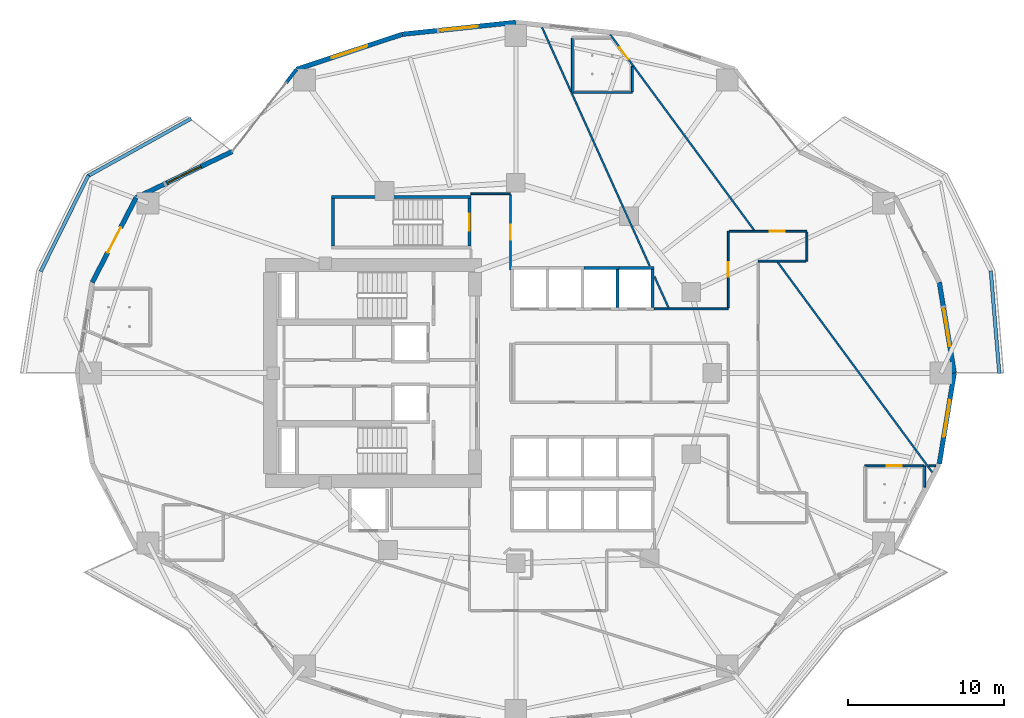
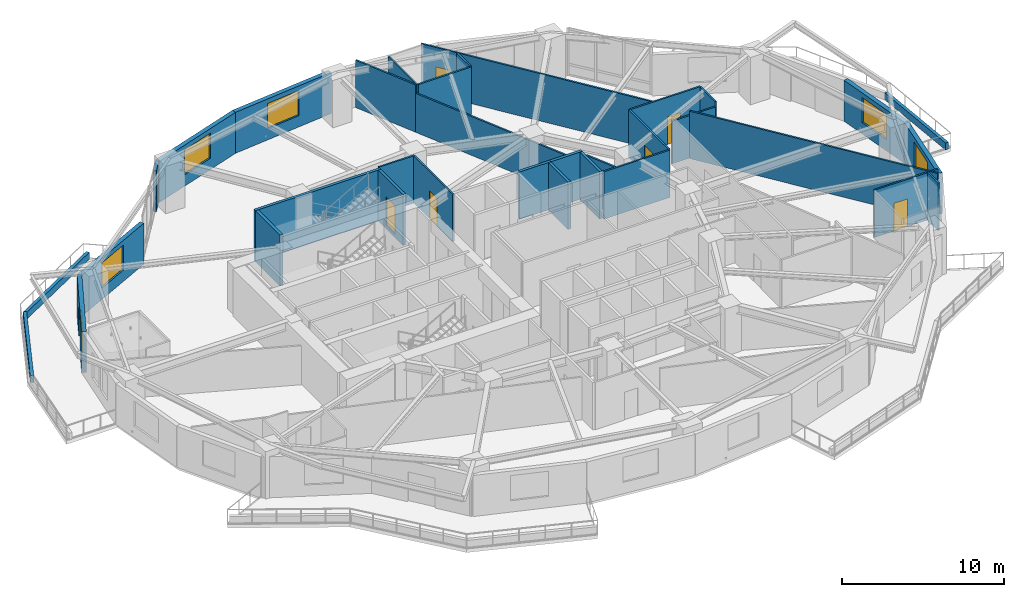
# One storey, part 8 of 18: 35 walls, 7 doors, 5 windows, 12 openings.
"""IFC4 building model written with IfcOpenShell, lengths in metres."""

from ifc_helpers import new_model, si_unit, direction, frame, frame_2d, origin, place, context, subcontext, project, spatial, rectangle, extrude, material, layer, layer_set, type_object, element, fill, save


model = new_model("IFC4")

# Units and contexts
model_context = context("Model", 3, precision=1e-05, world=origin(), true_north=direction((0.0, 1.0)))
body_context = subcontext(model_context, "Body", "Model", "MODEL_VIEW")
ifc_project = project(units=[si_unit("LENGTHUNIT", "METRE"), si_unit("AREAUNIT", "SQUARE_METRE"), si_unit("VOLUMEUNIT", "CUBIC_METRE"), si_unit("PLANEANGLEUNIT", "RADIAN"), si_unit("MASSUNIT", "GRAM", prefix="KILO")], contexts=[model_context])

# Site, building, storey
site_placement = place(None, origin())
site = spatial("IfcSite", under=ifc_project, at=site_placement, CompositionType="ELEMENT")
building_placement = place(site_placement, origin())
building = spatial("IfcBuilding", under=site, at=building_placement, Name="Kolvaren Gate Tower and Convention Centre", CompositionType="ELEMENT")
storey_placement = place(building_placement, frame((0.0, 0.0, 30.35009765625)))
storey = spatial("IfcBuildingStorey", under=building, at=storey_placement, Name="L06", CompositionType="ELEMENT", Elevation=30.35009765625)

# Wall
ifc_material_1 = material(Name="Fire-Rated Acoustic Gypsum Stud Partition", Category="gypsum")
ifc_layer_1 = layer(ifc_material_1, 0.1201171875)
ifc_layer_set_1 = layer_set([ifc_layer_1], Name="Fire-Rated Acoustic Gypsum Stud Partition")
wall_type_1 = type_object("IfcWallType", Name="ARCH-WL-PART-120", PredefinedType="PARTITIONING", material=ifc_layer_set_1)
wall_1_placement = place(storey_placement, frame((27.25, 38.5, 0.0), z_axis=(0.0, 0.0, 1.0), x_axis=(1.0, 0.0, 0.0)))
element("IfcWall", 1, at=wall_1_placement, inside=storey, type_object=wall_type_1, Name="Interior Partition WL-L06-INT-022", PredefinedType="PARTITIONING", context=body_context, shape_type="SweptSolid", body=[
    extrude(rectangle(XDim=2.530029296875, YDim=0.1201171875, at=frame_2d((1.26513671875, 0.0))), origin(), (0.0, 0.0, 1.0), 3.56982421875),
])

# Wall, opening, door
wall_2_placement = place(storey_placement, frame((29.780029296875, 33.639892578125, 0.0), z_axis=(0.0, 0.0, 1.0), x_axis=(0.0, 1.0, 0.0)))
wall_2 = element("IfcWall", 2, at=wall_2_placement, inside=storey, type_object=wall_type_1, Name="Interior Partition WL-L06-INT-025", PredefinedType="PARTITIONING", context=body_context, shape_type="SweptSolid", body=[
    extrude(rectangle(XDim=4.798095703125, YDim=0.1201171875, at=frame_2d((2.39892578125, 0.0))), origin(), (0.0, 0.0, 1.0), 3.56982421875),
])
opening_1_placement = place(wall_2_placement, frame((1.924072265625, 0.0, 0.0)))
opening_1 = element("IfcOpeningElement", 3, at=opening_1_placement, cuts=wall_2, Name="Opening DR-01", PredefinedType="OPENING", context=body_context, shape_type="SweptSolid", body=[
    extrude(rectangle(XDim=0.949951171875, YDim=2.10009765625, at=frame_2d((0.47509765625, 1.050048828125))), frame((0.0, 0.070068359375, 0.0), z_axis=(0.0, -1.0, 0.0), x_axis=(1.0, 0.0, 0.0)), (0.0, 0.0, 1.0), 0.14013671875),
])
ifc_material_2 = material(Name="Painted Architectural Steelwork ASTM A500 Grade C 345 MPa", Category="steel")
door_type_1 = type_object("IfcDoorType", Name="ARCH-DR-RISER-950", OperationType="SINGLE_SWING_RIGHT", PredefinedType="DOOR", material=ifc_material_2)
door_1_placement = place(opening_1_placement, origin())
door_1 = element("IfcDoor", 4, at=door_1_placement, inside=storey, type_object=door_type_1, Name="Open-Plan Office Suite Door", OperationType="SINGLE_SWING_LEFT", OverallHeight=2.10009765625, OverallWidth=0.949951171875, PredefinedType="DOOR", context=body_context, shape_type="SweptSolid", body=[
    extrude(rectangle(XDim=0.949951171875, YDim=2.10009765625, at=frame_2d((0.47509765625, 1.050048828125))), frame((0.0, 0.02490234375, 0.0), z_axis=(0.0, -1.0, 0.0), x_axis=(1.0, 0.0, 0.0)), (0.0, 0.0, 1.0), 0.050048828125),
])
fill(opening_1, door_1)

# Wall
wall_3_placement = place(storey_placement, frame((39.02001953125, 31.1201171875, 0.0), z_axis=(0.0, 0.0, 1.0), x_axis=(1.0, 0.0, 0.0)))
element("IfcWall", 5, at=wall_3_placement, inside=storey, type_object=wall_type_1, Name="Interior Partition WL-L06-INT-026", PredefinedType="PARTITIONING", context=body_context, shape_type="SweptSolid", body=[
    extrude(rectangle(XDim=4.72998046875, YDim=0.1201171875, at=frame_2d((2.364990234375, 0.0))), origin(), (0.0, 0.0, 1.0), 3.56982421875),
])

# Wall, opening, door
wall_4_placement = place(storey_placement, frame((43.75, 31.181884765625, 0.0), z_axis=(0.0, 0.0, 1.0), x_axis=(0.0, 1.0, 0.0)))
wall_4 = element("IfcWall", 6, at=wall_4_placement, inside=storey, type_object=wall_type_1, Name="Interior Partition WL-L06-INT-029", PredefinedType="PARTITIONING", context=body_context, shape_type="SweptSolid", body=[
    extrude(rectangle(XDim=4.918212890625, YDim=0.1201171875, at=frame_2d((2.458984375, 0.0))), origin(), (0.0, 0.0, 1.0), 3.56982421875),
])
opening_2_placement = place(wall_4_placement, frame((1.98388671875, 0.0, 0.0)))
opening_2 = element("IfcOpeningElement", 7, at=opening_2_placement, cuts=wall_4, Name="Opening DR-01", PredefinedType="OPENING", context=body_context, shape_type="SweptSolid", body=[
    extrude(rectangle(XDim=0.949951171875, YDim=2.10009765625, at=frame_2d((0.47509765625, 1.050048828125))), frame((0.0, 0.070068359375, 0.0), z_axis=(0.0, -1.0, 0.0), x_axis=(1.0, 0.0, 0.0)), (0.0, 0.0, 1.0), 0.14013671875),
])
door_2_placement = place(opening_2_placement, origin())
door_2 = element("IfcDoor", 8, at=door_2_placement, inside=storey, type_object=door_type_1, Name="Corporate Open-Plan Office Door", OperationType="SINGLE_SWING_RIGHT", OverallHeight=2.10009765625, OverallWidth=0.949951171875, PredefinedType="DOOR", context=body_context, shape_type="SweptSolid", body=[
    extrude(rectangle(XDim=0.949951171875, YDim=2.10009765625, at=frame_2d((0.47509765625, 1.050048828125))), frame((0.0, 0.02490234375, 0.0), z_axis=(0.0, -1.0, 0.0), x_axis=(1.0, 0.0, 0.0)), (0.0, 0.0, 1.0), 0.050048828125),
])
fill(opening_2, door_2)

wall_5_placement = place(storey_placement, frame((43.81201171875, 36.10009765625, 0.0), z_axis=(0.0, 0.0, 1.0), x_axis=(1.0, 0.0, 0.0)))
wall_5 = element("IfcWall", 9, at=wall_5_placement, inside=storey, type_object=wall_type_1, Name="Interior Partition WL-L06-INT-030", PredefinedType="PARTITIONING", context=body_context, shape_type="SweptSolid", body=[
    extrude(rectangle(XDim=4.988037109375, YDim=0.1201171875, at=frame_2d((2.494140625, 0.0))), origin(), (0.0, 0.0, 1.0), 3.56982421875),
])
opening_3_placement = place(wall_5_placement, frame((2.60888671875, 0.0, 0.0)))
opening_3 = element("IfcOpeningElement", 10, at=opening_3_placement, cuts=wall_5, Name="Opening DR-01", PredefinedType="OPENING", context=body_context, shape_type="SweptSolid", body=[
    extrude(rectangle(XDim=0.949951171875, YDim=2.10009765625, at=frame_2d((0.47509765625, 1.050048828125))), frame((0.0, 0.070068359375, 0.0), z_axis=(0.0, -1.0, 0.0), x_axis=(1.0, 0.0, 0.0)), (0.0, 0.0, 1.0), 0.14013671875),
])
door_3_placement = place(opening_3_placement, origin())
door_3 = element("IfcDoor", 11, at=door_3_placement, inside=storey, type_object=door_type_1, Name="Staff Dining and Bistro Cafe Door", OperationType="SINGLE_SWING_LEFT", OverallHeight=2.10009765625, OverallWidth=0.949951171875, PredefinedType="DOOR", context=body_context, shape_type="SweptSolid", body=[
    extrude(rectangle(XDim=0.949951171875, YDim=2.10009765625, at=frame_2d((0.47509765625, 1.050048828125))), frame((0.0, 0.02490234375, 0.0), z_axis=(0.0, -1.0, 0.0), x_axis=(1.0, 0.0, 0.0)), (0.0, 0.0, 1.0), 0.050048828125),
])
fill(opening_3, door_3)

# Walls
wall_6_placement = place(storey_placement, frame((48.800048828125, 34.179931640625, 0.0), z_axis=(0.0, 0.0, 1.0), x_axis=(0.0, 1.0, 0.0)))
element("IfcWall", 12, at=wall_6_placement, inside=storey, type_object=wall_type_1, Name="Interior Partition WL-L06-INT-032", PredefinedType="PARTITIONING", context=body_context, shape_type="SweptSolid", body=[
    extrude(rectangle(XDim=1.858154296875, YDim=0.1201171875, at=frame_2d((0.92919921875, 0.0))), origin(), (0.0, 0.0, 1.0), 3.56982421875),
])
wall_7_placement = place(storey_placement, frame((45.669921875, 34.179931640625, 0.0), z_axis=(0.0, 0.0, 1.0), x_axis=(1.0, 0.0, 0.0)))
element("IfcWall", 13, at=wall_7_placement, inside=storey, type_object=wall_type_1, Name="Interior Partition WL-L06-INT-033", PredefinedType="PARTITIONING", context=body_context, shape_type="SweptSolid", body=[
    extrude(rectangle(XDim=3.068115234375, YDim=0.1201171875, at=frame_2d((1.5341796875, 0.0))), origin(), (0.0, 0.0, 1.0), 3.204833984375),
])

# Wall, opening, door
wall_8_placement = place(storey_placement, frame((36.18359375, 48.708984375, 0.0), z_axis=(0.0, 0.0, 1.0), x_axis=(0.592622013748, -0.805480694257, 0.0)))
wall_8 = element("IfcWall", 14, at=wall_8_placement, inside=storey, type_object=wall_type_1, Name="Interior Partition WL-L06-INT-052", PredefinedType="PARTITIONING", context=body_context, shape_type="SweptSolid", body=[
    extrude(rectangle(XDim=15.576904296875, YDim=0.1201171875, at=frame_2d((7.78857421875, 0.0))), origin(), (0.0, 0.0, 1.0), 3.56982421875),
])
opening_4_placement = place(wall_8_placement, frame((1.007568359375, 0.0, 0.0)))
opening_4 = element("IfcOpeningElement", 15, at=opening_4_placement, cuts=wall_8, Name="Opening DI-01", PredefinedType="OPENING", context=body_context, shape_type="SweptSolid", body=[
    extrude(rectangle(XDim=0.949951171875, YDim=2.10009765625, at=frame_2d((0.47509765625, 1.050048828125))), frame((0.0, 0.070068359375, 0.0), z_axis=(0.0, -1.0, 0.0), x_axis=(1.0, 0.0, 0.0)), (0.0, 0.0, 1.0), 0.14013671875),
])
ifc_material_3 = material(Name="FSC Andean Oak Engineered Veneer Door Leaf", Category="wood")
door_type_2 = type_object("IfcDoorType", Name="ARCH-DR-INT-950", OperationType="SINGLE_SWING_LEFT", PredefinedType="DOOR", material=ifc_material_3)
door_4_placement = place(opening_4_placement, origin())
door_4 = element("IfcDoor", 16, at=door_4_placement, inside=storey, type_object=door_type_2, Name="Cellular Office Door", OperationType="SINGLE_SWING_RIGHT", OverallHeight=2.10009765625, OverallWidth=0.949951171875, PredefinedType="DOOR", context=body_context, shape_type="SweptSolid", body=[
    extrude(rectangle(XDim=0.949951171875, YDim=2.10009765625, at=frame_2d((0.47509765625, 1.050048828125))), frame((0.0, 0.02490234375, 0.0), z_axis=(0.0, -1.0, 0.0), x_axis=(1.0, 0.0, 0.0)), (0.0, 0.0, 1.0), 0.050048828125),
])
fill(opening_4, door_4)

# Walls
wall_9_placement = place(storey_placement, frame((46.918701171875, 34.117919921875, 0.0), z_axis=(0.0, 0.0, 1.0), x_axis=(0.592610371872, -0.805489259487, 0.0)))
element("IfcWall", 17, at=wall_9_placement, inside=storey, type_object=wall_type_1, Name="Interior Partition WL-L06-INT-053", PredefinedType="PARTITIONING", context=body_context, shape_type="SweptSolid", body=[
    extrude(rectangle(XDim=16.74072265625, YDim=0.1201171875, at=frame_2d((8.370361328125, 0.0))), origin(), (0.0, 0.0, 1.0), 3.56982421875),
])
wall_10_placement = place(storey_placement, frame((56.35009765625, 19.6884765625, 0.0), z_axis=(0.0, 0.0, 1.0), x_axis=(0.0, 1.0, 0.0)))
element("IfcWall", 18, at=wall_10_placement, inside=storey, type_object=wall_type_1, Name="Interior Partition WL-L06-INT-054", PredefinedType="PARTITIONING", context=body_context, shape_type="SweptSolid", body=[
    extrude(rectangle(XDim=1.361572265625, YDim=0.1201171875, at=frame_2d((0.6806640625, 0.0))), origin(), (0.0, 0.0, 1.0), 3.56982421875),
])

# Wall, opening, door
wall_11_placement = place(storey_placement, frame((52.5, 21.050048828125, 0.0), z_axis=(0.0, 0.0, 1.0), x_axis=(1.0, 0.0, 0.0)))
wall_11 = element("IfcWall", 19, at=wall_11_placement, inside=storey, type_object=wall_type_1, Name="Interior Partition WL-L06-INT-055", PredefinedType="PARTITIONING", context=body_context, shape_type="SweptSolid", body=[
    extrude(rectangle(XDim=3.7880859375, YDim=0.1201171875, at=frame_2d((1.89404296875, 0.0))), origin(), (0.0, 0.0, 1.0), 3.56982421875),
])
opening_5_placement = place(wall_11_placement, frame((1.4189453125, 0.0, 0.0)))
opening_5 = element("IfcOpeningElement", 20, at=opening_5_placement, cuts=wall_11, Name="Opening DI-01", PredefinedType="OPENING", context=body_context, shape_type="SweptSolid", body=[
    extrude(rectangle(XDim=0.949951171875, YDim=2.10009765625, at=frame_2d((0.47509765625, 1.050048828125))), frame((0.0, 0.070068359375, 0.0), z_axis=(0.0, -1.0, 0.0), x_axis=(1.0, 0.0, 0.0)), (0.0, 0.0, 1.0), 0.14013671875),
])
door_5_placement = place(opening_5_placement, origin())
door_5 = element("IfcDoor", 21, at=door_5_placement, inside=storey, type_object=door_type_2, Name="Cellular Office Door", OperationType="SINGLE_SWING_LEFT", OverallHeight=2.10009765625, OverallWidth=0.949951171875, PredefinedType="DOOR", context=body_context, shape_type="SweptSolid", body=[
    extrude(rectangle(XDim=0.949951171875, YDim=2.10009765625, at=frame_2d((0.47509765625, 1.050048828125))), frame((0.0, 0.02490234375, 0.0), z_axis=(0.0, -1.0, 0.0), x_axis=(1.0, 0.0, 0.0)), (0.0, 0.0, 1.0), 0.050048828125),
])
fill(opening_5, door_5)

# Walls
wall_12_placement = place(storey_placement, frame((56.610107421875, 21.050048828125, 0.0), z_axis=(0.0, 0.0, 1.0), x_axis=(1.0, 0.0, 0.0)))
element("IfcWall", 22, at=wall_12_placement, inside=storey, type_object=wall_type_1, Name="Interior Partition WL-L06-INT-055 (2)", PredefinedType="PARTITIONING", context=body_context, shape_type="SweptSolid", body=[
    extrude(rectangle(XDim=0.44482421875, YDim=0.1201171875, at=frame_2d((0.222412109375, 0.0))), origin(), (0.0, 0.0, 1.0), 3.56982421875),
])
wall_13_placement = place(storey_placement, frame((33.75, 45.0, 0.0), z_axis=(0.0, 0.0, 1.0), x_axis=(0.0, 1.0, 0.0)))
element("IfcWall", 23, at=wall_13_placement, inside=storey, type_object=wall_type_1, Name="Interior Partition WL-L06-INT-059", PredefinedType="PARTITIONING", context=body_context, shape_type="SweptSolid", body=[
    extrude(rectangle(XDim=3.488037109375, YDim=0.1201171875, at=frame_2d((1.744140625, 0.0))), origin(), (0.0, 0.0, 1.0), 3.56982421875),
])
wall_14_placement = place(storey_placement, frame((33.81201171875, 45.0, 0.0), z_axis=(0.0, 0.0, 1.0), x_axis=(1.0, 0.0, 0.0)))
element("IfcWall", 24, at=wall_14_placement, inside=storey, type_object=wall_type_1, Name="Interior Partition WL-L06-INT-060", PredefinedType="PARTITIONING", context=body_context, shape_type="SweptSolid", body=[
    extrude(rectangle(XDim=3.7880859375, YDim=0.1201171875, at=frame_2d((1.89404296875, 0.0))), origin(), (0.0, 0.0, 1.0), 3.56982421875),
])
wall_15_placement = place(storey_placement, frame((37.60009765625, 45.06201171875, 0.0), z_axis=(0.0, 0.0, 1.0), x_axis=(0.0, 1.0, 0.0)))
element("IfcWall", 25, at=wall_15_placement, inside=storey, type_object=wall_type_1, Name="Interior Partition WL-L06-INT-061", PredefinedType="PARTITIONING", context=body_context, shape_type="SweptSolid", body=[
    extrude(rectangle(XDim=1.6171875, YDim=0.1201171875, at=frame_2d((0.80859375, 0.0))), origin(), (0.0, 0.0, 1.0), 3.56982421875),
])
wall_16_placement = place(storey_placement, frame((31.809814453125, 49.169677734375, 0.0), z_axis=(0.0, 0.0, 1.0), x_axis=(0.411275866603, -0.911510922343, 0.0)))
element("IfcWall", 26, at=wall_16_placement, inside=storey, type_object=wall_type_1, Name="Interior Partition WL-L06-INT-062", PredefinedType="PARTITIONING", context=body_context, shape_type="SweptSolid", body=[
    extrude(rectangle(XDim=4.566650390625, YDim=0.1201171875, at=frame_2d((2.283203125, 0.0))), origin(), (0.0, 0.0, 1.0), 3.56982421875),
])
wall_17_placement = place(storey_placement, frame((33.69140625, 45.0, 0.0), z_axis=(0.0, 0.0, 1.0), x_axis=(0.411269013058, -0.911514014647, 0.0)))
element("IfcWall", 27, at=wall_17_placement, inside=storey, type_object=wall_type_1, Name="Interior Partition WL-L06-INT-062 (2)", PredefinedType="PARTITIONING", context=body_context, shape_type="SweptSolid", body=[
    extrude(rectangle(XDim=12.210205078125, YDim=0.1201171875, at=frame_2d((6.10498046875, 0.0))), origin(), (0.0, 0.0, 1.0), 2.933837890625),
])
wall_18_placement = place(storey_placement, frame((39.02001953125, 33.18994140625, 0.0), z_axis=(0.0, 0.0, 1.0), x_axis=(0.411263040548, -0.91151670938, 0.0)))
element("IfcWall", 28, at=wall_18_placement, inside=storey, type_object=wall_type_1, Name="Interior Partition WL-L06-INT-063", PredefinedType="PARTITIONING", context=body_context, shape_type="SweptSolid", body=[
    extrude(rectangle(XDim=2.202880859375, YDim=0.1201171875, at=frame_2d((1.1015625, 0.0))), origin(), (0.0, 0.0, 1.0), 3.56982421875),
])
ifc_material_4 = material(Name="Bogota Sabana Bush-Hammered Sandstone Cladding", Category="masonry")
ifc_layer_2 = layer(ifc_material_4, 0.219970703125)
ifc_layer_set_2 = layer_set([ifc_layer_2], Name="Bogota Sabana Bush-Hammered Sandstone Cladding")
wall_type_2 = type_object("IfcWallType", Name="ARCH-WL-PIER-220", PredefinedType="SOLIDWALL", material=ifc_layer_set_2)
wall_19_placement = place(storey_placement, frame((15.39892578125, 45.63818359375, 0.0), z_axis=(0.0, 0.0, 1.0), x_axis=(0.616528421162, 0.787332652632, 0.0)))
element("IfcWall", 29, at=wall_19_placement, inside=storey, type_object=wall_type_2, Name="Tower L06 Unitised Curtain Wall CW-OFF-UNIT Bay 08 Right Column Pier Wrap", PredefinedType="SOLIDWALL", context=body_context, shape_type="SweptSolid", body=[
    extrude(rectangle(XDim=1.076416015625, YDim=0.219970703125, at=frame_2d((0.5380859375, 0.0))), origin(), (0.0, 0.0, 1.0), 3.093017578125),
])
ifc_material_5 = material(Name="Piedmont Cream Honed Limestone Cladding", Category="masonry")
ifc_layer_3 = layer(ifc_material_5, 0.219970703125)
ifc_layer_set_3 = layer_set([ifc_layer_3], Name="Piedmont Cream Honed Limestone Cladding")
wall_type_3 = type_object("IfcWallType", Name="ARCH-WL-PLANTER-220", PredefinedType="PARAPET", material=ifc_layer_set_3)
wall_20_placement = place(storey_placement, frame((60.592041015625, 33.560791015625, 0.0), z_axis=(0.0, 0.0, 1.0), x_axis=(0.08310047353, -0.996541173911, 0.0)))
element("IfcWall", 30, at=wall_20_placement, inside=storey, type_object=wall_type_3, Name="Vertical-Forest Balcony Stone Planter Kerb PK-L06-1.1", PredefinedType="PARAPET", context=body_context, shape_type="SweptSolid", body=[
    extrude(rectangle(XDim=6.61328125, YDim=0.219970703125, at=frame_2d((3.306640625, 0.0))), origin(), (0.0, 0.0, 1.0), 0.52001953125),
])
wall_21_placement = place(storey_placement, frame((2.685302734375, 39.640625, 0.0), z_axis=(0.0, 0.0, 1.0), x_axis=(0.873500119739, 0.48682393205, 0.0)))
element("IfcWall", 31, at=wall_21_placement, inside=storey, type_object=wall_type_3, Name="Vertical-Forest Balcony Stone Planter Kerb PK-L06-2.1", PredefinedType="PARAPET", context=body_context, shape_type="SweptSolid", body=[
    extrude(rectangle(XDim=7.56201171875, YDim=0.219970703125, at=frame_2d((3.781005859375, 0.0))), origin(), (0.0, 0.0, 1.0), 0.52001953125),
])
wall_22_placement = place(storey_placement, frame((-0.3544921875, 33.50244140625, 0.0), z_axis=(0.0, 0.0, 1.0), x_axis=(0.443578479433, 0.8962355341, 0.0)))
element("IfcWall", 32, at=wall_22_placement, inside=storey, type_object=wall_type_3, Name="Vertical-Forest Balcony Stone Planter Kerb PK-L06-2.2", PredefinedType="PARAPET", context=body_context, shape_type="SweptSolid", body=[
    extrude(rectangle(XDim=6.9111328125, YDim=0.219970703125, at=frame_2d((3.45556640625, 0.0))), origin(), (0.0, 0.0, 1.0), 0.52001953125),
])
ifc_material_6 = material(Name="Autoclaved Aerated Masonry Blockwork Class 4 (4.0 MPa)", Category="masonry")
ifc_layer_4 = layer(ifc_material_6, 0.199951171875)
ifc_layer_set_4 = layer_set([ifc_layer_4], Name="Autoclaved Aerated Masonry Blockwork Class 4 (4.0 MPa)")
wall_type_4 = type_object("IfcWallType", Name="ARCH-WL-SHAFT-200", PredefinedType="SOLIDWALL", material=ifc_layer_set_4)
wall_23_placement = place(storey_placement, frame((34.5, 33.75, 0.0), z_axis=(0.0, 0.0, 1.0), x_axis=(1.0, 0.0, 0.0)))
element("IfcWall", 33, at=wall_23_placement, inside=storey, type_object=wall_type_4, Name="Elevator PL-03 L06 Fire Shaft Wall N", PredefinedType="SOLIDWALL", context=body_context, shape_type="SweptSolid", body=[
    extrude(rectangle(XDim=2.25, YDim=0.199951171875, at=frame_2d((1.125, 0.0))), origin(), (0.0, 0.0, 1.0), 3.56982421875),
])
wall_24_placement = place(storey_placement, frame((36.64990234375, 31.2099609375, 0.0), z_axis=(0.0, 0.0, 1.0), x_axis=(0.0, 1.0, 0.0)))
element("IfcWall", 34, at=wall_24_placement, inside=storey, type_object=wall_type_4, Name="Elevator PL-03 L06 Fire Shaft Wall E", PredefinedType="SOLIDWALL", context=body_context, shape_type="SweptSolid", body=[
    extrude(rectangle(XDim=2.429931640625, YDim=0.199951171875, at=frame_2d((1.21484375, 0.0))), origin(), (0.0, 0.0, 1.0), 3.56982421875),
])
wall_25_placement = place(storey_placement, frame((36.75, 33.75, 0.0), z_axis=(0.0, 0.0, 1.0), x_axis=(1.0, 0.0, 0.0)))
element("IfcWall", 35, at=wall_25_placement, inside=storey, type_object=wall_type_4, Name="Elevator PL-04 L06 Fire Shaft Wall N", PredefinedType="SOLIDWALL", context=body_context, shape_type="SweptSolid", body=[
    extrude(rectangle(XDim=2.25, YDim=0.199951171875, at=frame_2d((1.125, 0.0))), origin(), (0.0, 0.0, 1.0), 3.56982421875),
])
wall_26_placement = place(storey_placement, frame((38.89990234375, 31.2099609375, 0.0), z_axis=(0.0, 0.0, 1.0), x_axis=(0.0, 1.0, 0.0)))
element("IfcWall", 36, at=wall_26_placement, inside=storey, type_object=wall_type_4, Name="Elevator PL-04 L06 Fire Shaft Wall E", PredefinedType="SOLIDWALL", context=body_context, shape_type="SweptSolid", body=[
    extrude(rectangle(XDim=2.429931640625, YDim=0.199951171875, at=frame_2d((1.21484375, 0.0))), origin(), (0.0, 0.0, 1.0), 3.56982421875),
])

# Wall, opening, window
ifc_layer_5 = layer(ifc_material_5, 0.300048828125)
ifc_layer_set_5 = layer_set([ifc_layer_5], Name="Piedmont Cream Honed Limestone Cladding")
wall_type_5 = type_object("IfcWallType", Name="ARCH-WL-STONE-300", PredefinedType="SOLIDWALL", material=ifc_layer_set_5)
wall_27_placement = place(storey_placement, frame((57.291748046875, 32.823486328125, 0.0), z_axis=(0.0, 0.0, 1.0), x_axis=(0.162366057843, -0.98673059305, 0.0)))
wall_27 = element("IfcWall", 37, at=wall_27_placement, inside=storey, type_object=wall_type_5, Name="Tower L06 Honed Stone Spandrel Wall EW-00", PredefinedType="SOLIDWALL", context=body_context, shape_type="SweptSolid", body=[
    extrude(rectangle(XDim=5.90185546875, YDim=0.300048828125, at=frame_2d((2.950927734375, 0.0))), origin(), (0.0, 0.0, 1.0), 3.093017578125),
])
opening_6_placement = place(wall_27_placement, frame((1.7509765625, 0.0, 0.85009765625)))
opening_6 = element("IfcOpeningElement", 38, at=opening_6_placement, cuts=wall_27, Name="Opening W-01", PredefinedType="OPENING", context=body_context, shape_type="SweptSolid", body=[
    extrude(rectangle(XDim=2.39990234375, YDim=1.89990234375, at=frame_2d((1.199951171875, 0.949951171875))), frame((0.0, 0.159912109375, 0.0), z_axis=(0.0, -1.0, 0.0), x_axis=(1.0, 0.0, 0.0)), (0.0, 0.0, 1.0), 0.320068359375),
])
ifc_material_7 = material(Name="Low-E Triple Insulated Glazing Unit 44 mm", Category="glass")
window_type = type_object("IfcWindowType", Name="ARCH-WN-OFF-2400", PartitioningType="SINGLE_PANEL", PredefinedType="WINDOW", material=ifc_material_7)
window_1_placement = place(opening_6_placement, origin())
window_1 = element("IfcWindow", 39, at=window_1_placement, inside=storey, type_object=window_type, Name="Tower L06 Punched Stone Facade Window W-00", OverallHeight=1.89990234375, OverallWidth=2.39990234375, PartitioningType="SINGLE_PANEL", PredefinedType="WINDOW", context=body_context, shape_type="SweptSolid", body=[
    extrude(rectangle(XDim=2.39990234375, YDim=1.89990234375, at=frame_2d((1.199951171875, 0.949951171875))), frame((0.0, 0.030029296875, 0.0), z_axis=(0.0, -1.0, 0.0), x_axis=(1.0, 0.0, 0.0)), (0.0, 0.0, 1.0), 0.06005859375),
])
fill(opening_6, window_1)

wall_28_placement = place(storey_placement, frame((22.845703125, 48.7333984375, 0.0), z_axis=(0.0, 0.0, 1.0), x_axis=(0.994500334317, 0.104733399844, 0.0)))
wall_28 = element("IfcWall", 40, at=wall_28_placement, inside=storey, type_object=wall_type_5, Name="Tower L06 Honed Stone Spandrel Wall EW-06", PredefinedType="SOLIDWALL", context=body_context, shape_type="SweptSolid", body=[
    extrude(rectangle(XDim=7.319580078125, YDim=0.300048828125, at=frame_2d((3.65966796875, 0.0))), origin(), (0.0, 0.0, 1.0), 3.093017578125),
])
opening_7_placement = place(wall_28_placement, frame((2.4599609375, 0.0, 0.85009765625)))
opening_7 = element("IfcOpeningElement", 41, at=opening_7_placement, cuts=wall_28, Name="Opening W-01", PredefinedType="OPENING", context=body_context, shape_type="SweptSolid", body=[
    extrude(rectangle(XDim=2.39990234375, YDim=1.89990234375, at=frame_2d((1.199951171875, 0.949951171875))), frame((0.0, 0.159912109375, 0.0), z_axis=(0.0, -1.0, 0.0), x_axis=(1.0, 0.0, 0.0)), (0.0, 0.0, 1.0), 0.320068359375),
])
window_2_placement = place(opening_7_placement, origin())
window_2 = element("IfcWindow", 42, at=window_2_placement, inside=storey, type_object=window_type, Name="Tower L06 Punched Stone Facade Window W-06", OverallHeight=1.89990234375, OverallWidth=2.39990234375, PartitioningType="SINGLE_PANEL", PredefinedType="WINDOW", context=body_context, shape_type="SweptSolid", body=[
    extrude(rectangle(XDim=2.39990234375, YDim=1.89990234375, at=frame_2d((1.199951171875, 0.949951171875))), frame((0.0, 0.030029296875, 0.0), z_axis=(0.0, -1.0, 0.0), x_axis=(1.0, 0.0, 0.0)), (0.0, 0.0, 1.0), 0.06005859375),
])
fill(opening_7, window_2)

wall_29_placement = place(storey_placement, frame((16.0625, 46.485595703125, 0.0), z_axis=(0.0, 0.0, 1.0), x_axis=(0.949238715533, 0.31455661006, 0.0)))
wall_29 = element("IfcWall", 43, at=wall_29_placement, inside=storey, type_object=wall_type_5, Name="Tower L06 Honed Stone Spandrel Wall EW-07", PredefinedType="SOLIDWALL", context=body_context, shape_type="SweptSolid", body=[
    extrude(rectangle(XDim=7.14599609375, YDim=0.300048828125, at=frame_2d((3.572998046875, 0.0))), origin(), (0.0, 0.0, 1.0), 3.093017578125),
])
opening_8_placement = place(wall_29_placement, frame((2.373046875, 0.0, 0.85009765625)))
opening_8 = element("IfcOpeningElement", 44, at=opening_8_placement, cuts=wall_29, Name="Opening W-01", PredefinedType="OPENING", context=body_context, shape_type="SweptSolid", body=[
    extrude(rectangle(XDim=2.39990234375, YDim=1.89990234375, at=frame_2d((1.199951171875, 0.949951171875))), frame((0.0, 0.159912109375, 0.0), z_axis=(0.0, -1.0, 0.0), x_axis=(1.0, 0.0, 0.0)), (0.0, 0.0, 1.0), 0.320068359375),
])
window_3_placement = place(opening_8_placement, origin())
window_3 = element("IfcWindow", 45, at=window_3_placement, inside=storey, type_object=window_type, Name="Tower L06 Punched Stone Facade Window W-07", OverallHeight=1.89990234375, OverallWidth=2.39990234375, PartitioningType="SINGLE_PANEL", PredefinedType="WINDOW", context=body_context, shape_type="SweptSolid", body=[
    extrude(rectangle(XDim=2.39990234375, YDim=1.89990234375, at=frame_2d((1.199951171875, 0.949951171875))), frame((0.0, 0.030029296875, 0.0), z_axis=(0.0, -1.0, 0.0), x_axis=(1.0, 0.0, 0.0)), (0.0, 0.0, 1.0), 0.06005859375),
])
fill(opening_8, window_3)

wall_30_placement = place(storey_placement, frame((5.76806640625, 38.25, 0.0), z_axis=(0.0, 0.0, 1.0), x_axis=(0.901360393999, 0.433069786673, 0.0)))
wall_30 = element("IfcWall", 46, at=wall_30_placement, inside=storey, type_object=wall_type_5, Name="Tower L06 Honed Stone Spandrel Wall EW-09", PredefinedType="SOLIDWALL", context=body_context, shape_type="SweptSolid", body=[
    extrude(rectangle(XDim=6.841552734375, YDim=0.300048828125, at=frame_2d((3.4208984375, 0.0))), origin(), (0.0, 0.0, 1.0), 3.093017578125),
])
opening_9_placement = place(wall_30_placement, frame((2.220947265625, 0.0, 0.85009765625)))
opening_9 = element("IfcOpeningElement", 47, at=opening_9_placement, cuts=wall_30, Name="Opening W-01", PredefinedType="OPENING", context=body_context, shape_type="SweptSolid", body=[
    extrude(rectangle(XDim=2.39990234375, YDim=1.89990234375, at=frame_2d((1.199951171875, 0.949951171875))), frame((0.0, 0.159912109375, 0.0), z_axis=(0.0, -1.0, 0.0), x_axis=(1.0, 0.0, 0.0)), (0.0, 0.0, 1.0), 0.320068359375),
])
window_4_placement = place(opening_9_placement, origin())
window_4 = element("IfcWindow", 48, at=window_4_placement, inside=storey, type_object=window_type, Name="Tower L06 Punched Stone Facade Window W-09", OverallHeight=1.89990234375, OverallWidth=2.39990234375, PartitioningType="SINGLE_PANEL", PredefinedType="WINDOW", context=body_context, shape_type="SweptSolid", body=[
    extrude(rectangle(XDim=2.39990234375, YDim=1.89990234375, at=frame_2d((1.199951171875, 0.949951171875))), frame((0.0, 0.030029296875, 0.0), z_axis=(0.0, -1.0, 0.0), x_axis=(1.0, 0.0, 0.0)), (0.0, 0.0, 1.0), 0.06005859375),
])
fill(opening_9, window_4)

# Wall, opening, door
wall_31_placement = place(storey_placement, frame((2.958251953125, 32.823486328125, 0.0), z_axis=(0.0, 0.0, 1.0), x_axis=(0.459809804413, 0.88801742312, 0.0)))
wall_31 = element("IfcWall", 49, at=wall_31_placement, inside=storey, type_object=wall_type_5, Name="Tower L06 Honed Stone Spandrel Wall EW-10", PredefinedType="SOLIDWALL", context=body_context, shape_type="SweptSolid", body=[
    extrude(rectangle(XDim=6.11083984375, YDim=0.300048828125, at=frame_2d((3.055419921875, 0.0))), origin(), (0.0, 0.0, 1.0), 3.093017578125),
])
opening_10_placement = place(wall_31_placement, frame((2.155029296875, 0.0, 0.0)))
opening_10 = element("IfcOpeningElement", 50, at=opening_10_placement, cuts=wall_31, Name="Opening DB-01", PredefinedType="OPENING", context=body_context, shape_type="SweptSolid", body=[
    extrude(rectangle(XDim=1.800048828125, YDim=2.25, at=frame_2d((0.89990234375, 1.125))), frame((0.0, 0.159912109375, 0.0), z_axis=(0.0, -1.0, 0.0), x_axis=(1.0, 0.0, 0.0)), (0.0, 0.0, 1.0), 0.320068359375),
])
ifc_material_8 = material(Name="Anodized Architectural Aluminium Alloy 6063-T6", Category="aluminium")
door_type_3 = type_object("IfcDoorType", Name="ARCH-DR-BALC-1800", OperationType="SLIDING_TO_LEFT", PredefinedType="DOOR", material=ifc_material_8)
door_6_placement = place(opening_10_placement, origin())
door_6 = element("IfcDoor", 51, at=door_6_placement, inside=storey, type_object=door_type_3, Name="Planted Sky Terrace Access Door DB-L06-10", OperationType="SLIDING_TO_LEFT", OverallHeight=2.25, OverallWidth=1.800048828125, PredefinedType="DOOR", context=body_context, shape_type="SweptSolid", body=[
    extrude(rectangle(XDim=1.800048828125, YDim=2.25, at=frame_2d((0.89990234375, 1.125))), frame((0.0, 0.02490234375, 0.0), z_axis=(0.0, -1.0, 0.0), x_axis=(1.0, 0.0, 0.0)), (0.0, 0.0, 1.0), 0.050048828125),
])
fill(opening_10, door_6)

# Wall, opening, window
wall_32_placement = place(storey_placement, frame((57.291748046875, 21.176513671875, 0.0), z_axis=(0.0, 0.0, 1.0), x_axis=(0.162366057843, 0.98673059305, 0.0)))
wall_32 = element("IfcWall", 52, at=wall_32_placement, inside=storey, type_object=wall_type_5, Name="Tower L06 Honed Stone Spandrel Wall EW-23", PredefinedType="SOLIDWALL", context=body_context, shape_type="SweptSolid", body=[
    extrude(rectangle(XDim=5.90185546875, YDim=0.300048828125, at=frame_2d((2.950927734375, 0.0))), origin(), (0.0, 0.0, 1.0), 3.093017578125),
])
opening_11_placement = place(wall_32_placement, frame((1.7509765625, 0.0, 0.85009765625)))
opening_11 = element("IfcOpeningElement", 53, at=opening_11_placement, cuts=wall_32, Name="Opening W-01", PredefinedType="OPENING", context=body_context, shape_type="SweptSolid", body=[
    extrude(rectangle(XDim=2.39990234375, YDim=1.89990234375, at=frame_2d((1.199951171875, 0.949951171875))), frame((0.0, 0.159912109375, 0.0), z_axis=(0.0, -1.0, 0.0), x_axis=(1.0, 0.0, 0.0)), (0.0, 0.0, 1.0), 0.320068359375),
])
window_5_placement = place(opening_11_placement, origin())
window_5 = element("IfcWindow", 54, at=window_5_placement, inside=storey, type_object=window_type, Name="Tower L06 Punched Stone Facade Window W-23", OverallHeight=1.89990234375, OverallWidth=2.39990234375, PartitioningType="SINGLE_PANEL", PredefinedType="WINDOW", context=body_context, shape_type="SweptSolid", body=[
    extrude(rectangle(XDim=2.39990234375, YDim=1.89990234375, at=frame_2d((1.199951171875, 0.949951171875))), frame((0.0, 0.030029296875, 0.0), z_axis=(0.0, -1.0, 0.0), x_axis=(1.0, 0.0, 0.0)), (0.0, 0.0, 1.0), 0.06005859375),
])
fill(opening_11, window_5)

# Wall, opening, door
ifc_material_9 = material(Name="Concrete C50/60", Category="concrete")
ifc_layer_6 = layer(ifc_material_9, 0.199951171875)
ifc_layer_set_6 = layer_set([ifc_layer_6], Name="Concrete C50/60")
wall_type_6 = type_object("IfcWallType", Name="STR-WL-SHAFT-200", PredefinedType="SHEAR", material=ifc_layer_set_6)
wall_33_placement = place(storey_placement, frame((27.14990234375, 35.159912109375, -0.280029296875), z_axis=(0.0, 0.0, 1.0), x_axis=(0.0, 1.0, 0.0)))
wall_33 = element("IfcWall", 55, at=wall_33_placement, inside=storey, type_object=wall_type_6, Name="Tower Mid-Zone Exit Stair ST-T3 L06 Structural Shear Enclosure Wall NEAR", PredefinedType="SHEAR", context=body_context, shape_type="SweptSolid", body=[
    extrude(rectangle(XDim=3.0400390625, YDim=0.199951171875, at=frame_2d((1.52001953125, 0.0))), origin(), (0.0, 0.0, 1.0), 3.849853515625),
])
opening_12_placement = place(wall_33_placement, frame((0.969970703125, 0.0, 0.280029296875)))
opening_12 = element("IfcOpeningElement", 56, at=opening_12_placement, cuts=wall_33, Name="Opening DS-01", PredefinedType="OPENING", context=body_context, shape_type="SweptSolid", body=[
    extrude(rectangle(XDim=1.10009765625, YDim=2.14990234375, at=frame_2d((0.550048828125, 1.074951171875))), frame((0.0, 0.10986328125, 0.0), z_axis=(0.0, -1.0, 0.0), x_axis=(1.0, 0.0, 0.0)), (0.0, 0.0, 1.0), 0.219970703125),
])
door_type_4 = type_object("IfcDoorType", Name="ARCH-DR-STAIR-1100", OperationType="SINGLE_SWING_LEFT", PredefinedType="DOOR", material=ifc_material_2)
door_7_placement = place(opening_12_placement, origin())
door_7 = element("IfcDoor", 57, at=door_7_placement, inside=storey, type_object=door_type_4, Name="Tower Mid-Zone Exit Stair ST-T3 L06 Fire Exit Stair Door", OperationType="SINGLE_SWING_RIGHT", OverallHeight=2.14990234375, OverallWidth=1.10009765625, PredefinedType="DOOR", context=body_context, shape_type="SweptSolid", body=[
    extrude(rectangle(XDim=1.10009765625, YDim=2.14990234375, at=frame_2d((0.550048828125, 1.074951171875))), frame((0.0, 0.02490234375, 0.0), z_axis=(0.0, -1.0, 0.0), x_axis=(1.0, 0.0, 0.0)), (0.0, 0.0, 1.0), 0.050048828125),
])
fill(opening_12, door_7)

# Walls
wall_34_placement = place(storey_placement, frame((18.39990234375, 35.159912109375, -0.280029296875), z_axis=(0.0, 0.0, 1.0), x_axis=(0.0, 1.0, 0.0)))
element("IfcWall", 58, at=wall_34_placement, inside=storey, type_object=wall_type_6, Name="Tower Mid-Zone Exit Stair ST-T3 L06 Structural Shear Enclosure Wall FAR", PredefinedType="SHEAR", context=body_context, shape_type="SweptSolid", body=[
    extrude(rectangle(XDim=3.0400390625, YDim=0.199951171875, at=frame_2d((1.52001953125, 0.0))), origin(), (0.0, 0.0, 1.0), 3.849853515625),
])
wall_35_placement = place(storey_placement, frame((18.300048828125, 38.300048828125, -0.280029296875), z_axis=(0.0, 0.0, 1.0), x_axis=(1.0, 0.0, 0.0)))
element("IfcWall", 59, at=wall_35_placement, inside=storey, type_object=wall_type_6, Name="Tower Mid-Zone Exit Stair ST-T3 L06 Structural Shear Enclosure Wall LEFT", PredefinedType="SHEAR", context=body_context, shape_type="SweptSolid", body=[
    extrude(rectangle(XDim=8.949951171875, YDim=0.199951171875, at=frame_2d((4.47509765625, 0.0))), origin(), (0.0, 0.0, 1.0), 3.849853515625),
])

save(model, "model.ifc")
